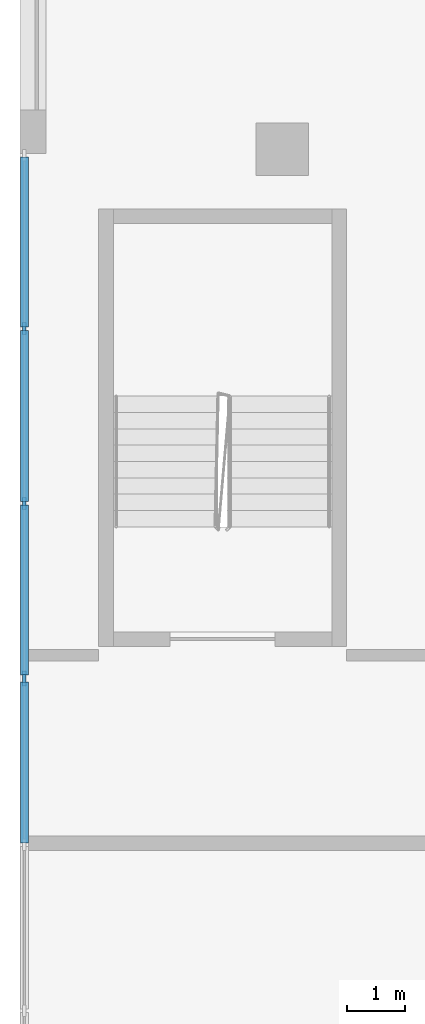
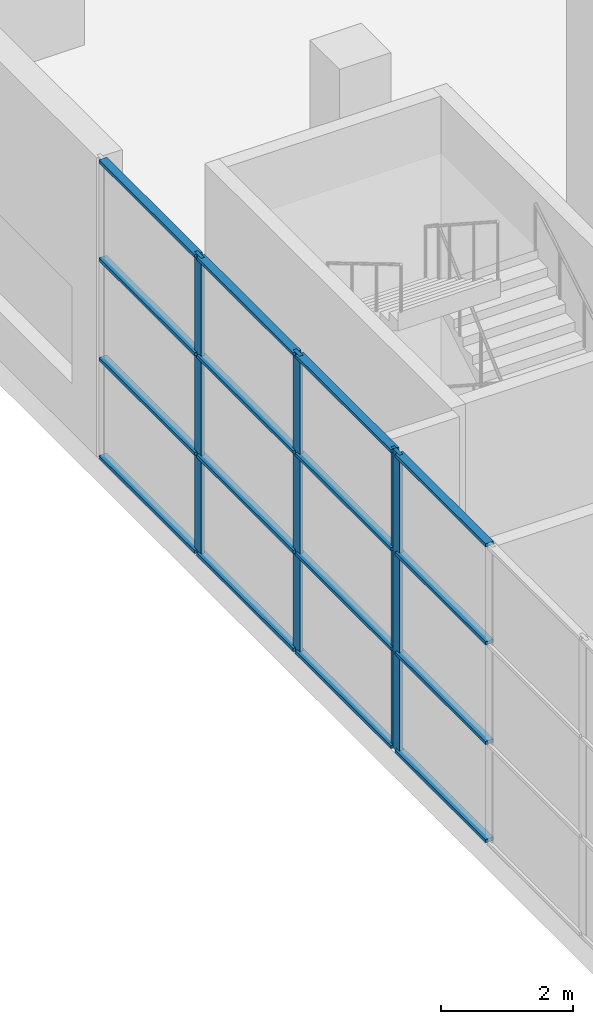
# One storey, part 3 of 27: 20 members, 2 elements without a shape of their own.
"""IFC4 building model written with IfcOpenShell, lengths in metres."""

from ifc_helpers import new_model, si_unit, direction, frame, origin, origin_2d, place, context, subcontext, project, spatial, rectangle, extrude, material, material_profile, profile_set, type_object, element, aggregate, save


model = new_model("IFC4")

# Units and contexts
model_context = context("Model", 3, precision=1e-05, world=origin(), true_north=direction((0.0, 1.0)))
body_context = subcontext(model_context, "Body", "Model", "MODEL_VIEW")
ifc_project = project(units=[si_unit("LENGTHUNIT", "METRE"), si_unit("AREAUNIT", "SQUARE_METRE"), si_unit("VOLUMEUNIT", "CUBIC_METRE"), si_unit("PLANEANGLEUNIT", "RADIAN"), si_unit("MASSUNIT", "GRAM", prefix="KILO")], contexts=[model_context])

# Site, building, storey
site_placement = place(None, origin())
site = spatial("IfcSite", under=ifc_project, at=site_placement, CompositionType="ELEMENT")
building_placement = place(site_placement, origin())
building = spatial("IfcBuilding", under=site, at=building_placement, Name="Kajstack Hotel Tower", CompositionType="ELEMENT")
storey_placement = place(building_placement, frame((0.0, 0.0, 11.0)))
storey = spatial("IfcBuildingStorey", under=building, at=storey_placement, Name="L01", CompositionType="ELEMENT", Elevation=11.0)

# Curtain wall, members
ifc_material_1 = material(Name="Aluminium-framed curtain wall, low-iron glass", Category="aluminium")
curtain_wall_type = type_object("IfcCurtainWallType", Name="CW-LOBBY", PredefinedType="NOTDEFINED", material=ifc_material_1)
curtain_wall_1_placement = place(storey_placement, origin())
curtain_wall_1 = element("IfcCurtainWall", 1, at=curtain_wall_1_placement, inside=storey, type_object=curtain_wall_type, Name="Curtain wall CU1 L01-15-01-0", PredefinedType="NOTDEFINED")
ifc_material_2 = material(Name="Aluminium", Category="aluminium")
ifc_material_profile_1 = material_profile(ifc_material_2, rectangle(XDim=0.06005859375, YDim=0.199951171875, at=origin_2d()), Name="Aluminium mullion 60 x 200")
ifc_profile_set_1 = profile_set([ifc_material_profile_1], Name="Aluminium")
member_type_1 = type_object("IfcMemberType", Name="CW-M-LOBBY", PredefinedType="MULLION", material=ifc_profile_set_1)
member_1_placement = place(storey_placement, frame((-44.925048828125, 7.199951171875, 0.0), z_axis=(0.0, 0.0, 1.0), x_axis=(1.0, 0.0, 0.0)))
member_1 = element("IfcMember", 2, at=member_1_placement, type_object=member_type_1, Name="CU1 mullion 2", PredefinedType="MULLION", context=body_context, shape_type="SweptSolid", body=[
    extrude(rectangle(XDim=0.06005859375, YDim=0.199951171875, at=origin_2d()), origin(), (0.0, 0.0, 1.0), 5.550048828125),
])
member_2_placement = place(storey_placement, frame((-44.925048828125, 4.199951171875, 0.0), z_axis=(0.0, 0.0, 1.0), x_axis=(1.0, 0.0, 0.0)))
member_2 = element("IfcMember", 3, at=member_2_placement, type_object=member_type_1, Name="CU1 mullion 3", PredefinedType="MULLION", context=body_context, shape_type="SweptSolid", body=[
    extrude(rectangle(XDim=0.06005859375, YDim=0.199951171875, at=origin_2d()), origin(), (0.0, 0.0, 1.0), 5.550048828125),
])
member_3_placement = place(storey_placement, frame((-44.925048828125, 1.22998046875, 0.0), z_axis=(0.0, 0.0, 1.0), x_axis=(1.0, 0.0, 0.0)))
member_3 = element("IfcMember", 4, at=member_3_placement, type_object=member_type_1, Name="CU1 mullion 4", PredefinedType="MULLION", context=body_context, shape_type="SweptSolid", body=[
    extrude(rectangle(XDim=0.06005859375, YDim=0.199951171875, at=origin_2d()), origin(), (0.0, 0.0, 1.0), 5.550048828125),
])

# Curtain wall, member
curtain_wall_2_placement = place(storey_placement, origin())
curtain_wall_2 = element("IfcCurtainWall", 5, at=curtain_wall_2_placement, inside=storey, type_object=curtain_wall_type, Name="Curtain wall CU1 L01-15-01-1", PredefinedType="NOTDEFINED")
member_4_placement = place(storey_placement, frame((-44.925048828125, 1.169921875, 0.0), z_axis=(0.0, 0.0, 1.0), x_axis=(1.0, 0.0, 0.0)))
member_4 = element("IfcMember", 6, at=member_4_placement, type_object=member_type_1, Name="CU1 mullion 1", PredefinedType="MULLION", context=body_context, shape_type="SweptSolid", body=[
    extrude(rectangle(XDim=0.06005859375, YDim=0.199951171875, at=origin_2d()), origin(), (0.0, 0.0, 1.0), 5.550048828125),
])

# Member
ifc_material_profile_2 = material_profile(ifc_material_2, rectangle(XDim=0.139892578125, YDim=0.06005859375, at=origin_2d()), Name="Aluminium transom 140 x 60")
ifc_profile_set_2 = profile_set([ifc_material_profile_2], Name="Aluminium")
member_type_2 = type_object("IfcMemberType", Name="CW-T-LOBBY", PredefinedType="USERDEFINED", material=ifc_profile_set_2)
member_5_placement = place(storey_placement, frame((-44.925048828125, 10.139892578125, 0.030029296875), z_axis=(0.0, -1.0, 0.0), x_axis=(1.0, 0.0, 0.0)))
member_5 = element("IfcMember", 7, at=member_5_placement, type_object=member_type_2, Name="CU1 transom 1.1", ObjectType="TRANSOM", PredefinedType="USERDEFINED", context=body_context, shape_type="SweptSolid", body=[
    extrude(rectangle(XDim=0.139892578125, YDim=0.06005859375, at=origin_2d()), origin(), (0.0, 0.0, 1.0), 2.909912109375),
])

member_6_placement = place(storey_placement, frame((-44.925048828125, 10.139892578125, 1.85009765625), z_axis=(0.0, -1.0, 0.0), x_axis=(1.0, 0.0, 0.0)))
member_6 = element("IfcMember", 8, at=member_6_placement, type_object=member_type_2, Name="CU1 transom 1.2", ObjectType="TRANSOM", PredefinedType="USERDEFINED", context=body_context, shape_type="SweptSolid", body=[
    extrude(rectangle(XDim=0.139892578125, YDim=0.06005859375, at=origin_2d()), origin(), (0.0, 0.0, 1.0), 2.909912109375),
])

member_7_placement = place(storey_placement, frame((-44.925048828125, 10.139892578125, 3.699951171875), z_axis=(0.0, -1.0, 0.0), x_axis=(1.0, 0.0, 0.0)))
member_7 = element("IfcMember", 9, at=member_7_placement, type_object=member_type_2, Name="CU1 transom 1.3", ObjectType="TRANSOM", PredefinedType="USERDEFINED", context=body_context, shape_type="SweptSolid", body=[
    extrude(rectangle(XDim=0.139892578125, YDim=0.06005859375, at=origin_2d()), origin(), (0.0, 0.0, 1.0), 2.909912109375),
])

member_8_placement = place(storey_placement, frame((-44.925048828125, 10.139892578125, 5.52001953125), z_axis=(0.0, -1.0, 0.0), x_axis=(1.0, 0.0, 0.0)))
member_8 = element("IfcMember", 10, at=member_8_placement, type_object=member_type_2, Name="CU1 transom 1.4", ObjectType="TRANSOM", PredefinedType="USERDEFINED", context=body_context, shape_type="SweptSolid", body=[
    extrude(rectangle(XDim=0.139892578125, YDim=0.06005859375, at=origin_2d()), origin(), (0.0, 0.0, 1.0), 2.909912109375),
])

member_9_placement = place(storey_placement, frame((-44.925048828125, 7.169921875, 0.030029296875), z_axis=(0.0, -1.0, 0.0), x_axis=(1.0, 0.0, 0.0)))
member_9 = element("IfcMember", 11, at=member_9_placement, type_object=member_type_2, Name="CU1 transom 2.1", ObjectType="TRANSOM", PredefinedType="USERDEFINED", context=body_context, shape_type="SweptSolid", body=[
    extrude(rectangle(XDim=0.139892578125, YDim=0.06005859375, at=origin_2d()), origin(), (0.0, 0.0, 1.0), 2.93994140625),
])

member_10_placement = place(storey_placement, frame((-44.925048828125, 7.169921875, 1.85009765625), z_axis=(0.0, -1.0, 0.0), x_axis=(1.0, 0.0, 0.0)))
member_10 = element("IfcMember", 12, at=member_10_placement, type_object=member_type_2, Name="CU1 transom 2.2", ObjectType="TRANSOM", PredefinedType="USERDEFINED", context=body_context, shape_type="SweptSolid", body=[
    extrude(rectangle(XDim=0.139892578125, YDim=0.06005859375, at=origin_2d()), origin(), (0.0, 0.0, 1.0), 2.93994140625),
])

member_11_placement = place(storey_placement, frame((-44.925048828125, 7.169921875, 3.699951171875), z_axis=(0.0, -1.0, 0.0), x_axis=(1.0, 0.0, 0.0)))
member_11 = element("IfcMember", 13, at=member_11_placement, type_object=member_type_2, Name="CU1 transom 2.3", ObjectType="TRANSOM", PredefinedType="USERDEFINED", context=body_context, shape_type="SweptSolid", body=[
    extrude(rectangle(XDim=0.139892578125, YDim=0.06005859375, at=origin_2d()), origin(), (0.0, 0.0, 1.0), 2.93994140625),
])

member_12_placement = place(storey_placement, frame((-44.925048828125, 7.169921875, 5.52001953125), z_axis=(0.0, -1.0, 0.0), x_axis=(1.0, 0.0, 0.0)))
member_12 = element("IfcMember", 14, at=member_12_placement, type_object=member_type_2, Name="CU1 transom 2.4", ObjectType="TRANSOM", PredefinedType="USERDEFINED", context=body_context, shape_type="SweptSolid", body=[
    extrude(rectangle(XDim=0.139892578125, YDim=0.06005859375, at=origin_2d()), origin(), (0.0, 0.0, 1.0), 2.93994140625),
])

member_13_placement = place(storey_placement, frame((-44.925048828125, 4.169921875, 0.030029296875), z_axis=(0.0, -1.0, 0.0), x_axis=(1.0, 0.0, 0.0)))
member_13 = element("IfcMember", 15, at=member_13_placement, type_object=member_type_2, Name="CU1 transom 3.1", ObjectType="TRANSOM", PredefinedType="USERDEFINED", context=body_context, shape_type="SweptSolid", body=[
    extrude(rectangle(XDim=0.139892578125, YDim=0.06005859375, at=origin_2d()), origin(), (0.0, 0.0, 1.0), 2.909912109375),
])

member_14_placement = place(storey_placement, frame((-44.925048828125, 4.169921875, 1.85009765625), z_axis=(0.0, -1.0, 0.0), x_axis=(1.0, 0.0, 0.0)))
member_14 = element("IfcMember", 16, at=member_14_placement, type_object=member_type_2, Name="CU1 transom 3.2", ObjectType="TRANSOM", PredefinedType="USERDEFINED", context=body_context, shape_type="SweptSolid", body=[
    extrude(rectangle(XDim=0.139892578125, YDim=0.06005859375, at=origin_2d()), origin(), (0.0, 0.0, 1.0), 2.909912109375),
])

member_15_placement = place(storey_placement, frame((-44.925048828125, 4.169921875, 3.699951171875), z_axis=(0.0, -1.0, 0.0), x_axis=(1.0, 0.0, 0.0)))
member_15 = element("IfcMember", 17, at=member_15_placement, type_object=member_type_2, Name="CU1 transom 3.3", ObjectType="TRANSOM", PredefinedType="USERDEFINED", context=body_context, shape_type="SweptSolid", body=[
    extrude(rectangle(XDim=0.139892578125, YDim=0.06005859375, at=origin_2d()), origin(), (0.0, 0.0, 1.0), 2.909912109375),
])

member_16_placement = place(storey_placement, frame((-44.925048828125, 4.169921875, 5.52001953125), z_axis=(0.0, -1.0, 0.0), x_axis=(1.0, 0.0, 0.0)))
member_16 = element("IfcMember", 18, at=member_16_placement, type_object=member_type_2, Name="CU1 transom 3.4", ObjectType="TRANSOM", PredefinedType="USERDEFINED", context=body_context, shape_type="SweptSolid", body=[
    extrude(rectangle(XDim=0.139892578125, YDim=0.06005859375, at=origin_2d()), origin(), (0.0, 0.0, 1.0), 2.909912109375),
])

aggregate(curtain_wall_1, [member_1, member_2, member_3, member_5, member_6, member_7, member_8, member_9, member_10, member_11, member_12, member_13, member_14, member_15, member_16])

member_17_placement = place(storey_placement, frame((-44.925048828125, 1.139892578125, 0.030029296875), z_axis=(0.0, -1.0, 0.0), x_axis=(1.0, 0.0, 0.0)))
member_17 = element("IfcMember", 19, at=member_17_placement, type_object=member_type_2, Name="CU1 transom 1.1", ObjectType="TRANSOM", PredefinedType="USERDEFINED", context=body_context, shape_type="SweptSolid", body=[
    extrude(rectangle(XDim=0.139892578125, YDim=0.06005859375, at=origin_2d()), origin(), (0.0, 0.0, 1.0), 2.760009765625),
])

member_18_placement = place(storey_placement, frame((-44.925048828125, 1.139892578125, 1.85009765625), z_axis=(0.0, -1.0, 0.0), x_axis=(1.0, 0.0, 0.0)))
member_18 = element("IfcMember", 20, at=member_18_placement, type_object=member_type_2, Name="CU1 transom 1.2", ObjectType="TRANSOM", PredefinedType="USERDEFINED", context=body_context, shape_type="SweptSolid", body=[
    extrude(rectangle(XDim=0.139892578125, YDim=0.06005859375, at=origin_2d()), origin(), (0.0, 0.0, 1.0), 2.760009765625),
])

member_19_placement = place(storey_placement, frame((-44.925048828125, 1.139892578125, 3.699951171875), z_axis=(0.0, -1.0, 0.0), x_axis=(1.0, 0.0, 0.0)))
member_19 = element("IfcMember", 21, at=member_19_placement, type_object=member_type_2, Name="CU1 transom 1.3", ObjectType="TRANSOM", PredefinedType="USERDEFINED", context=body_context, shape_type="SweptSolid", body=[
    extrude(rectangle(XDim=0.139892578125, YDim=0.06005859375, at=origin_2d()), origin(), (0.0, 0.0, 1.0), 2.760009765625),
])

member_20_placement = place(storey_placement, frame((-44.925048828125, 1.139892578125, 5.52001953125), z_axis=(0.0, -1.0, 0.0), x_axis=(1.0, 0.0, 0.0)))
member_20 = element("IfcMember", 22, at=member_20_placement, type_object=member_type_2, Name="CU1 transom 1.4", ObjectType="TRANSOM", PredefinedType="USERDEFINED", context=body_context, shape_type="SweptSolid", body=[
    extrude(rectangle(XDim=0.139892578125, YDim=0.06005859375, at=origin_2d()), origin(), (0.0, 0.0, 1.0), 2.760009765625),
])

aggregate(curtain_wall_2, [member_4, member_17, member_18, member_19, member_20])

save(model, "model.ifc")
